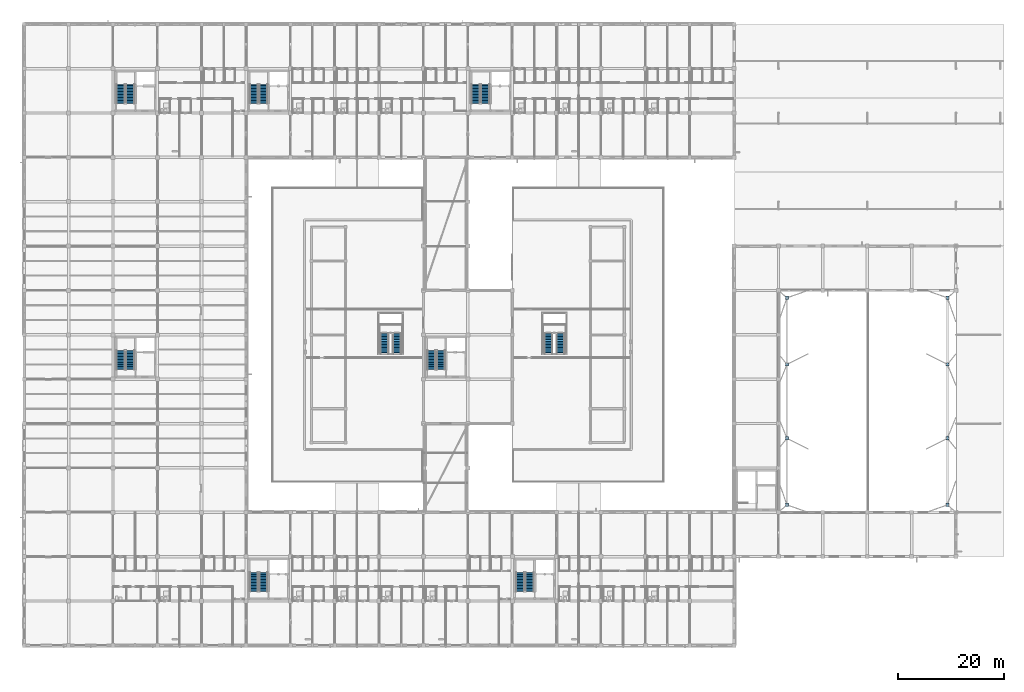
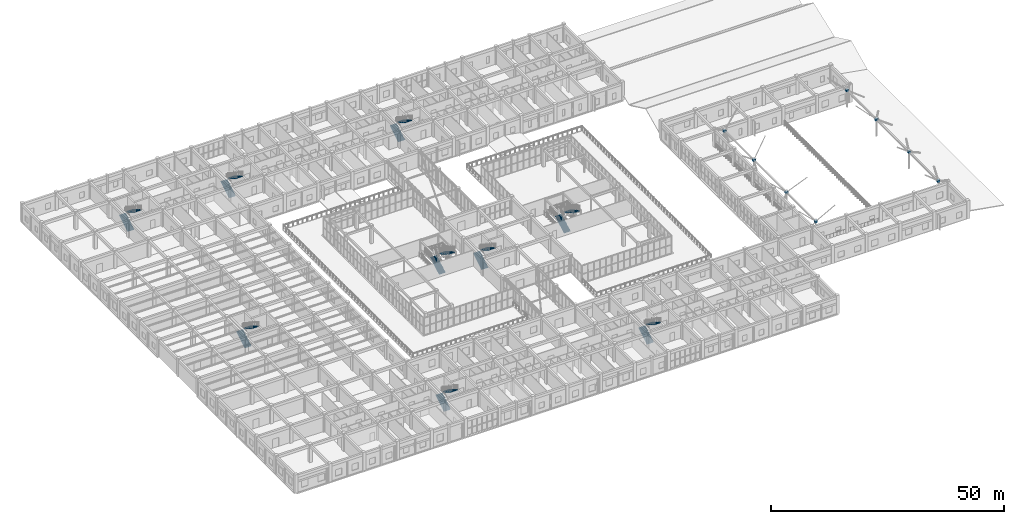
# One storey, part 139 of 158: 18 stair flights, 8 discrete accessories, 9 elements without a shape of their own.
"""IFC4 building model written with IfcOpenShell, lengths in metres."""

from ifc_helpers import new_model, si_unit, direction, frame, origin, origin_2d, place, context, subcontext, project, spatial, polyline, rectangle, outline, extrude, material, type_object, element, aggregate, save


model = new_model("IFC4")

# Units and contexts
model_context = context("Model", 3, precision=1e-05, world=origin(), true_north=direction((0.0, 1.0)))
body_context = subcontext(model_context, "Body", "Model", "MODEL_VIEW")
ifc_project = project(units=[si_unit("LENGTHUNIT", "METRE"), si_unit("AREAUNIT", "SQUARE_METRE"), si_unit("VOLUMEUNIT", "CUBIC_METRE"), si_unit("PLANEANGLEUNIT", "RADIAN"), si_unit("MASSUNIT", "GRAM", prefix="KILO")], contexts=[model_context])

# Site, building, storey
site_placement = place(None, origin())
site = spatial("IfcSite", under=ifc_project, at=site_placement, CompositionType="ELEMENT")
building_placement = place(site_placement, origin())
building = spatial("IfcBuilding", under=site, at=building_placement, Name="Trelvath General Hospital", CompositionType="ELEMENT")
storey_placement = place(building_placement, frame((0.0, 0.0, 8.10009765625)))
storey = spatial("IfcBuildingStorey", under=building, at=storey_placement, Name="L02", CompositionType="ELEMENT", Elevation=8.10009765625)

# Stair, stair flights
ifc_material_1 = material(Name="Concrete C35/45", Category="concrete")
stair_type_1 = type_object("IfcStairType", Name="Stair PublicCube480", PredefinedType="TWO_STRAIGHT_RUN_STAIR", material=ifc_material_1)
stair_1_placement = place(storey_placement, origin())
stair_1 = element("IfcStair", 1, at=stair_1_placement, inside=storey, type_object=stair_type_1, Name="Public Cube Feature Stair ST9 L02", PredefinedType="TWO_STRAIGHT_RUN_STAIR")
ifc_material_2 = material(Name="Concrete C35/45", Category="concrete")
stair_flight_type_1 = type_object("IfcStairFlightType", Name="Flight PublicCube480", PredefinedType="STRAIGHT", material=ifc_material_2)
stair_flight_1_placement = place(storey_placement, frame((68.25, 55.169921875, 0.0), z_axis=(0.0, 0.0, 1.0), x_axis=(0.0, 1.0, 0.0)))
stair_flight_1 = element("IfcStairFlight", 2, at=stair_flight_1_placement, type_object=stair_flight_type_1, Name="ST9-L02 flight 1", NumberOfRisers=14, NumberOfTreads=13, PredefinedType="STRAIGHT", RiserHeight=0.171428571, TreadLength=0.3, context=body_context, shape_type="SweptSolid", body=[
    extrude(outline(polyline([(0.0, 0.0), (0.0, 0.17138671875), (0.300048828125, 0.17138671875), (0.300048828125, 0.3427734375), (0.60009765625, 0.3427734375), (0.60009765625, 0.514404296875), (0.89990234375, 0.514404296875), (0.89990234375, 0.685791015625), (1.199951171875, 0.685791015625), (1.199951171875, 0.857177734375), (1.5, 0.857177734375), (1.5, 1.028564453125), (1.800048828125, 1.028564453125), (1.800048828125, 1.199951171875), (2.10009765625, 1.199951171875), (2.10009765625, 1.371337890625), (2.39990234375, 1.371337890625), (2.39990234375, 1.54296875), (2.699951171875, 1.54296875), (2.699951171875, 1.71435546875), (3.0, 1.71435546875), (3.0, 1.8857421875), (3.300048828125, 1.8857421875), (3.300048828125, 2.05712890625), (3.60009765625, 2.05712890625), (3.60009765625, 2.228515625), (3.89990234375, 2.228515625), (3.89990234375, 2.39990234375), (3.89990234375, 2.04443359375), (0.322265625, 0.0), (0.0, 0.0)])), frame((0.0, 0.77001953125, 0.0), z_axis=(0.0, -1.0, 0.0), x_axis=(1.0, 0.0, 0.0)), (0.0, 0.0, 1.0), 1.5400390625),
])
stair_flight_2_placement = place(storey_placement, frame((70.550048828125, 59.070068359375, 2.39990234375), z_axis=(0.0, 0.0, 1.0), x_axis=(0.0, -1.0, 0.0)))
stair_flight_2 = element("IfcStairFlight", 3, at=stair_flight_2_placement, type_object=stair_flight_type_1, Name="ST9-L02 flight 2", NumberOfRisers=14, NumberOfTreads=13, PredefinedType="STRAIGHT", RiserHeight=0.171428571, TreadLength=0.3, context=body_context, shape_type="SweptSolid", body=[
    extrude(outline(polyline([(0.0, 0.0), (0.0, 0.17138671875), (0.300048828125, 0.17138671875), (0.300048828125, 0.3427734375), (0.60009765625, 0.3427734375), (0.60009765625, 0.514404296875), (0.89990234375, 0.514404296875), (0.89990234375, 0.685791015625), (1.199951171875, 0.685791015625), (1.199951171875, 0.857177734375), (1.5, 0.857177734375), (1.5, 1.028564453125), (1.800048828125, 1.028564453125), (1.800048828125, 1.199951171875), (2.10009765625, 1.199951171875), (2.10009765625, 1.371337890625), (2.39990234375, 1.371337890625), (2.39990234375, 1.54296875), (2.699951171875, 1.54296875), (2.699951171875, 1.71435546875), (3.0, 1.71435546875), (3.0, 1.8857421875), (3.300048828125, 1.8857421875), (3.300048828125, 2.05712890625), (3.60009765625, 2.05712890625), (3.60009765625, 2.228515625), (3.89990234375, 2.228515625), (3.89990234375, 2.39990234375), (3.89990234375, 2.04443359375), (0.322265625, 0.0), (0.0, 0.0)])), frame((0.0, 0.77001953125, 0.0), z_axis=(0.0, -1.0, 0.0), x_axis=(1.0, 0.0, 0.0)), (0.0, 0.0, 1.0), 1.5400390625),
])
aggregate(stair_1, [stair_flight_1, stair_flight_2])

stair_2_placement = place(storey_placement, origin())
stair_2 = element("IfcStair", 4, at=stair_2_placement, inside=storey, type_object=stair_type_1, Name="Public Cube Feature Stair ST10 L02", PredefinedType="TWO_STRAIGHT_RUN_STAIR")
stair_flight_3_placement = place(storey_placement, frame((99.25, 55.169921875, 0.0), z_axis=(0.0, 0.0, 1.0), x_axis=(0.0, 1.0, 0.0)))
stair_flight_3 = element("IfcStairFlight", 5, at=stair_flight_3_placement, type_object=stair_flight_type_1, Name="ST10-L02 flight 1", NumberOfRisers=14, NumberOfTreads=13, PredefinedType="STRAIGHT", RiserHeight=0.171428571, TreadLength=0.3, context=body_context, shape_type="SweptSolid", body=[
    extrude(outline(polyline([(0.0, 0.0), (0.0, 0.17138671875), (0.300048828125, 0.17138671875), (0.300048828125, 0.3427734375), (0.60009765625, 0.3427734375), (0.60009765625, 0.514404296875), (0.89990234375, 0.514404296875), (0.89990234375, 0.685791015625), (1.199951171875, 0.685791015625), (1.199951171875, 0.857177734375), (1.5, 0.857177734375), (1.5, 1.028564453125), (1.800048828125, 1.028564453125), (1.800048828125, 1.199951171875), (2.10009765625, 1.199951171875), (2.10009765625, 1.371337890625), (2.39990234375, 1.371337890625), (2.39990234375, 1.54296875), (2.699951171875, 1.54296875), (2.699951171875, 1.71435546875), (3.0, 1.71435546875), (3.0, 1.8857421875), (3.300048828125, 1.8857421875), (3.300048828125, 2.05712890625), (3.60009765625, 2.05712890625), (3.60009765625, 2.228515625), (3.89990234375, 2.228515625), (3.89990234375, 2.39990234375), (3.89990234375, 2.04443359375), (0.322265625, 0.0), (0.0, 0.0)])), frame((0.0, 0.77001953125, 0.0), z_axis=(0.0, -1.0, 0.0), x_axis=(1.0, 0.0, 0.0)), (0.0, 0.0, 1.0), 1.5400390625),
])
stair_flight_4_placement = place(storey_placement, frame((101.550048828125, 59.070068359375, 2.39990234375), z_axis=(0.0, 0.0, 1.0), x_axis=(0.0, -1.0, 0.0)))
stair_flight_4 = element("IfcStairFlight", 6, at=stair_flight_4_placement, type_object=stair_flight_type_1, Name="ST10-L02 flight 2", NumberOfRisers=14, NumberOfTreads=13, PredefinedType="STRAIGHT", RiserHeight=0.171428571, TreadLength=0.3, context=body_context, shape_type="SweptSolid", body=[
    extrude(outline(polyline([(0.0, 0.0), (0.0, 0.17138671875), (0.300048828125, 0.17138671875), (0.300048828125, 0.3427734375), (0.60009765625, 0.3427734375), (0.60009765625, 0.514404296875), (0.89990234375, 0.514404296875), (0.89990234375, 0.685791015625), (1.199951171875, 0.685791015625), (1.199951171875, 0.857177734375), (1.5, 0.857177734375), (1.5, 1.028564453125), (1.800048828125, 1.028564453125), (1.800048828125, 1.199951171875), (2.10009765625, 1.199951171875), (2.10009765625, 1.371337890625), (2.39990234375, 1.371337890625), (2.39990234375, 1.54296875), (2.699951171875, 1.54296875), (2.699951171875, 1.71435546875), (3.0, 1.71435546875), (3.0, 1.8857421875), (3.300048828125, 1.8857421875), (3.300048828125, 2.05712890625), (3.60009765625, 2.05712890625), (3.60009765625, 2.228515625), (3.89990234375, 2.228515625), (3.89990234375, 2.39990234375), (3.89990234375, 2.04443359375), (0.322265625, 0.0), (0.0, 0.0)])), frame((0.0, 0.77001953125, 0.0), z_axis=(0.0, -1.0, 0.0), x_axis=(1.0, 0.0, 0.0)), (0.0, 0.0, 1.0), 1.5400390625),
])
aggregate(stair_2, [stair_flight_3, stair_flight_4])

ifc_material_3 = material(Name="Concrete C35/45", Category="concrete")
stair_type_2 = type_object("IfcStairType", Name="Stair Stretcher480", PredefinedType="TWO_STRAIGHT_RUN_STAIR", material=ifc_material_3)
stair_3_placement = place(storey_placement, origin())
stair_3 = element("IfcStair", 7, at=stair_3_placement, inside=storey, type_object=stair_type_2, Name="Exit Stair ST1 L02", PredefinedType="TWO_STRAIGHT_RUN_STAIR")
ifc_material_4 = material(Name="Concrete C35/45", Category="concrete")
stair_flight_type_2 = type_object("IfcStairFlightType", Name="Flight Stretcher480", PredefinedType="STRAIGHT", material=ifc_material_4)
stair_flight_5_placement = place(storey_placement, frame((43.5, 102.60009765625, 0.0), z_axis=(0.0, 0.0, 1.0), x_axis=(0.0, 1.0, 0.0)))
stair_flight_5 = element("IfcStairFlight", 8, at=stair_flight_5_placement, type_object=stair_flight_type_2, Name="ST1-L02 flight 1", NumberOfRisers=14, NumberOfTreads=13, PredefinedType="STRAIGHT", RiserHeight=0.171428571, TreadLength=0.28, context=body_context, shape_type="SweptSolid", body=[
    extrude(outline(polyline([(0.0, 0.0), (0.0, 0.17138671875), (0.280029296875, 0.17138671875), (0.280029296875, 0.3427734375), (0.56005859375, 0.3427734375), (0.56005859375, 0.514404296875), (0.840087890625, 0.514404296875), (0.840087890625, 0.685791015625), (1.1201171875, 0.685791015625), (1.1201171875, 0.857177734375), (1.39990234375, 0.857177734375), (1.39990234375, 1.028564453125), (1.679931640625, 1.028564453125), (1.679931640625, 1.199951171875), (1.9599609375, 1.199951171875), (1.9599609375, 1.371337890625), (2.239990234375, 1.371337890625), (2.239990234375, 1.54296875), (2.52001953125, 1.54296875), (2.52001953125, 1.71435546875), (2.800048828125, 1.71435546875), (2.800048828125, 1.8857421875), (3.080078125, 1.8857421875), (3.080078125, 2.05712890625), (3.360107421875, 2.05712890625), (3.360107421875, 2.228515625), (3.639892578125, 2.228515625), (3.639892578125, 2.39990234375), (3.639892578125, 2.041015625), (0.30615234375, 0.0), (0.0, 0.0)])), frame((0.0, 0.81005859375, 0.0), z_axis=(0.0, -1.0, 0.0), x_axis=(1.0, 0.0, 0.0)), (0.0, 0.0, 1.0), 1.6201171875),
])
stair_flight_6_placement = place(storey_placement, frame((45.300048828125, 106.239990234375, 2.39990234375), z_axis=(0.0, 0.0, 1.0), x_axis=(0.0, -1.0, 0.0)))
stair_flight_6 = element("IfcStairFlight", 9, at=stair_flight_6_placement, type_object=stair_flight_type_2, Name="ST1-L02 flight 2", NumberOfRisers=14, NumberOfTreads=13, PredefinedType="STRAIGHT", RiserHeight=0.171428571, TreadLength=0.28, context=body_context, shape_type="SweptSolid", body=[
    extrude(outline(polyline([(0.0, 0.0), (0.0, 0.17138671875), (0.280029296875, 0.17138671875), (0.280029296875, 0.3427734375), (0.56005859375, 0.3427734375), (0.56005859375, 0.514404296875), (0.840087890625, 0.514404296875), (0.840087890625, 0.685791015625), (1.1201171875, 0.685791015625), (1.1201171875, 0.857177734375), (1.39990234375, 0.857177734375), (1.39990234375, 1.028564453125), (1.679931640625, 1.028564453125), (1.679931640625, 1.199951171875), (1.9599609375, 1.199951171875), (1.9599609375, 1.371337890625), (2.239990234375, 1.371337890625), (2.239990234375, 1.54296875), (2.52001953125, 1.54296875), (2.52001953125, 1.71435546875), (2.800048828125, 1.71435546875), (2.800048828125, 1.8857421875), (3.080078125, 1.8857421875), (3.080078125, 2.05712890625), (3.360107421875, 2.05712890625), (3.360107421875, 2.228515625), (3.639892578125, 2.228515625), (3.639892578125, 2.39990234375), (3.639892578125, 2.041015625), (0.30615234375, 0.0), (0.0, 0.0)])), frame((0.0, 0.81005859375, 0.0), z_axis=(0.0, -1.0, 0.0), x_axis=(1.0, 0.0, 0.0)), (0.0, 0.0, 1.0), 1.6201171875),
])
aggregate(stair_3, [stair_flight_5, stair_flight_6])

stair_4_placement = place(storey_placement, origin())
stair_4 = element("IfcStair", 10, at=stair_4_placement, inside=storey, type_object=stair_type_2, Name="Exit Stair ST2 L02", PredefinedType="TWO_STRAIGHT_RUN_STAIR")
stair_flight_7_placement = place(storey_placement, frame((85.5, 102.60009765625, 0.0), z_axis=(0.0, 0.0, 1.0), x_axis=(0.0, 1.0, 0.0)))
stair_flight_7 = element("IfcStairFlight", 11, at=stair_flight_7_placement, type_object=stair_flight_type_2, Name="ST2-L02 flight 1", NumberOfRisers=14, NumberOfTreads=13, PredefinedType="STRAIGHT", RiserHeight=0.171428571, TreadLength=0.28, context=body_context, shape_type="SweptSolid", body=[
    extrude(outline(polyline([(0.0, 0.0), (0.0, 0.17138671875), (0.280029296875, 0.17138671875), (0.280029296875, 0.3427734375), (0.56005859375, 0.3427734375), (0.56005859375, 0.514404296875), (0.840087890625, 0.514404296875), (0.840087890625, 0.685791015625), (1.1201171875, 0.685791015625), (1.1201171875, 0.857177734375), (1.39990234375, 0.857177734375), (1.39990234375, 1.028564453125), (1.679931640625, 1.028564453125), (1.679931640625, 1.199951171875), (1.9599609375, 1.199951171875), (1.9599609375, 1.371337890625), (2.239990234375, 1.371337890625), (2.239990234375, 1.54296875), (2.52001953125, 1.54296875), (2.52001953125, 1.71435546875), (2.800048828125, 1.71435546875), (2.800048828125, 1.8857421875), (3.080078125, 1.8857421875), (3.080078125, 2.05712890625), (3.360107421875, 2.05712890625), (3.360107421875, 2.228515625), (3.639892578125, 2.228515625), (3.639892578125, 2.39990234375), (3.639892578125, 2.041015625), (0.30615234375, 0.0), (0.0, 0.0)])), frame((0.0, 0.81005859375, 0.0), z_axis=(0.0, -1.0, 0.0), x_axis=(1.0, 0.0, 0.0)), (0.0, 0.0, 1.0), 1.6201171875),
])
stair_flight_8_placement = place(storey_placement, frame((87.300048828125, 106.239990234375, 2.39990234375), z_axis=(0.0, 0.0, 1.0), x_axis=(0.0, -1.0, 0.0)))
stair_flight_8 = element("IfcStairFlight", 12, at=stair_flight_8_placement, type_object=stair_flight_type_2, Name="ST2-L02 flight 2", NumberOfRisers=14, NumberOfTreads=13, PredefinedType="STRAIGHT", RiserHeight=0.171428571, TreadLength=0.28, context=body_context, shape_type="SweptSolid", body=[
    extrude(outline(polyline([(0.0, 0.0), (0.0, 0.17138671875), (0.280029296875, 0.17138671875), (0.280029296875, 0.3427734375), (0.56005859375, 0.3427734375), (0.56005859375, 0.514404296875), (0.840087890625, 0.514404296875), (0.840087890625, 0.685791015625), (1.1201171875, 0.685791015625), (1.1201171875, 0.857177734375), (1.39990234375, 0.857177734375), (1.39990234375, 1.028564453125), (1.679931640625, 1.028564453125), (1.679931640625, 1.199951171875), (1.9599609375, 1.199951171875), (1.9599609375, 1.371337890625), (2.239990234375, 1.371337890625), (2.239990234375, 1.54296875), (2.52001953125, 1.54296875), (2.52001953125, 1.71435546875), (2.800048828125, 1.71435546875), (2.800048828125, 1.8857421875), (3.080078125, 1.8857421875), (3.080078125, 2.05712890625), (3.360107421875, 2.05712890625), (3.360107421875, 2.228515625), (3.639892578125, 2.228515625), (3.639892578125, 2.39990234375), (3.639892578125, 2.041015625), (0.30615234375, 0.0), (0.0, 0.0)])), frame((0.0, 0.81005859375, 0.0), z_axis=(0.0, -1.0, 0.0), x_axis=(1.0, 0.0, 0.0)), (0.0, 0.0, 1.0), 1.6201171875),
])
aggregate(stair_4, [stair_flight_7, stair_flight_8])

stair_5_placement = place(storey_placement, origin())
stair_5 = element("IfcStair", 13, at=stair_5_placement, inside=storey, type_object=stair_type_2, Name="Exit Stair ST3 L02", PredefinedType="TWO_STRAIGHT_RUN_STAIR")
stair_flight_9_placement = place(storey_placement, frame((18.300048828125, 102.60009765625, 0.0), z_axis=(0.0, 0.0, 1.0), x_axis=(0.0, 1.0, 0.0)))
stair_flight_9 = element("IfcStairFlight", 14, at=stair_flight_9_placement, type_object=stair_flight_type_2, Name="ST3-L02 flight 1", NumberOfRisers=14, NumberOfTreads=13, PredefinedType="STRAIGHT", RiserHeight=0.171428571, TreadLength=0.28, context=body_context, shape_type="SweptSolid", body=[
    extrude(outline(polyline([(0.0, 0.0), (0.0, 0.17138671875), (0.280029296875, 0.17138671875), (0.280029296875, 0.3427734375), (0.56005859375, 0.3427734375), (0.56005859375, 0.514404296875), (0.840087890625, 0.514404296875), (0.840087890625, 0.685791015625), (1.1201171875, 0.685791015625), (1.1201171875, 0.857177734375), (1.39990234375, 0.857177734375), (1.39990234375, 1.028564453125), (1.679931640625, 1.028564453125), (1.679931640625, 1.199951171875), (1.9599609375, 1.199951171875), (1.9599609375, 1.371337890625), (2.239990234375, 1.371337890625), (2.239990234375, 1.54296875), (2.52001953125, 1.54296875), (2.52001953125, 1.71435546875), (2.800048828125, 1.71435546875), (2.800048828125, 1.8857421875), (3.080078125, 1.8857421875), (3.080078125, 2.05712890625), (3.360107421875, 2.05712890625), (3.360107421875, 2.228515625), (3.639892578125, 2.228515625), (3.639892578125, 2.39990234375), (3.639892578125, 2.041015625), (0.30615234375, 0.0), (0.0, 0.0)])), frame((0.0, 0.81005859375, 0.0), z_axis=(0.0, -1.0, 0.0), x_axis=(1.0, 0.0, 0.0)), (0.0, 0.0, 1.0), 1.6201171875),
])
stair_flight_10_placement = place(storey_placement, frame((20.10009765625, 106.239990234375, 2.39990234375), z_axis=(0.0, 0.0, 1.0), x_axis=(0.0, -1.0, 0.0)))
stair_flight_10 = element("IfcStairFlight", 15, at=stair_flight_10_placement, type_object=stair_flight_type_2, Name="ST3-L02 flight 2", NumberOfRisers=14, NumberOfTreads=13, PredefinedType="STRAIGHT", RiserHeight=0.171428571, TreadLength=0.28, context=body_context, shape_type="SweptSolid", body=[
    extrude(outline(polyline([(0.0, 0.0), (0.0, 0.17138671875), (0.280029296875, 0.17138671875), (0.280029296875, 0.3427734375), (0.56005859375, 0.3427734375), (0.56005859375, 0.514404296875), (0.840087890625, 0.514404296875), (0.840087890625, 0.685791015625), (1.1201171875, 0.685791015625), (1.1201171875, 0.857177734375), (1.39990234375, 0.857177734375), (1.39990234375, 1.028564453125), (1.679931640625, 1.028564453125), (1.679931640625, 1.199951171875), (1.9599609375, 1.199951171875), (1.9599609375, 1.371337890625), (2.239990234375, 1.371337890625), (2.239990234375, 1.54296875), (2.52001953125, 1.54296875), (2.52001953125, 1.71435546875), (2.800048828125, 1.71435546875), (2.800048828125, 1.8857421875), (3.080078125, 1.8857421875), (3.080078125, 2.05712890625), (3.360107421875, 2.05712890625), (3.360107421875, 2.228515625), (3.639892578125, 2.228515625), (3.639892578125, 2.39990234375), (3.639892578125, 2.041015625), (0.30615234375, 0.0), (0.0, 0.0)])), frame((0.0, 0.81005859375, 0.0), z_axis=(0.0, -1.0, 0.0), x_axis=(1.0, 0.0, 0.0)), (0.0, 0.0, 1.0), 1.6201171875),
])
aggregate(stair_5, [stair_flight_9, stair_flight_10])

stair_6_placement = place(storey_placement, origin())
stair_6 = element("IfcStair", 16, at=stair_6_placement, inside=storey, type_object=stair_type_2, Name="Exit Stair ST4 L02", PredefinedType="TWO_STRAIGHT_RUN_STAIR")
stair_flight_11_placement = place(storey_placement, frame((43.5, 10.199951171875, 0.0), z_axis=(0.0, 0.0, 1.0), x_axis=(0.0, 1.0, 0.0)))
stair_flight_11 = element("IfcStairFlight", 17, at=stair_flight_11_placement, type_object=stair_flight_type_2, Name="ST4-L02 flight 1", NumberOfRisers=14, NumberOfTreads=13, PredefinedType="STRAIGHT", RiserHeight=0.171428571, TreadLength=0.28, context=body_context, shape_type="SweptSolid", body=[
    extrude(outline(polyline([(0.0, 0.0), (0.0, 0.17138671875), (0.280029296875, 0.17138671875), (0.280029296875, 0.3427734375), (0.56005859375, 0.3427734375), (0.56005859375, 0.514404296875), (0.840087890625, 0.514404296875), (0.840087890625, 0.685791015625), (1.1201171875, 0.685791015625), (1.1201171875, 0.857177734375), (1.39990234375, 0.857177734375), (1.39990234375, 1.028564453125), (1.679931640625, 1.028564453125), (1.679931640625, 1.199951171875), (1.9599609375, 1.199951171875), (1.9599609375, 1.371337890625), (2.239990234375, 1.371337890625), (2.239990234375, 1.54296875), (2.52001953125, 1.54296875), (2.52001953125, 1.71435546875), (2.800048828125, 1.71435546875), (2.800048828125, 1.8857421875), (3.080078125, 1.8857421875), (3.080078125, 2.05712890625), (3.360107421875, 2.05712890625), (3.360107421875, 2.228515625), (3.639892578125, 2.228515625), (3.639892578125, 2.39990234375), (3.639892578125, 2.041015625), (0.30615234375, 0.0), (0.0, 0.0)])), frame((0.0, 0.81005859375, 0.0), z_axis=(0.0, -1.0, 0.0), x_axis=(1.0, 0.0, 0.0)), (0.0, 0.0, 1.0), 1.6201171875),
])
stair_flight_12_placement = place(storey_placement, frame((45.300048828125, 13.840087890625, 2.39990234375), z_axis=(0.0, 0.0, 1.0), x_axis=(0.0, -1.0, 0.0)))
stair_flight_12 = element("IfcStairFlight", 18, at=stair_flight_12_placement, type_object=stair_flight_type_2, Name="ST4-L02 flight 2", NumberOfRisers=14, NumberOfTreads=13, PredefinedType="STRAIGHT", RiserHeight=0.171428571, TreadLength=0.28, context=body_context, shape_type="SweptSolid", body=[
    extrude(outline(polyline([(0.0, 0.0), (0.0, 0.17138671875), (0.280029296875, 0.17138671875), (0.280029296875, 0.3427734375), (0.56005859375, 0.3427734375), (0.56005859375, 0.514404296875), (0.840087890625, 0.514404296875), (0.840087890625, 0.685791015625), (1.1201171875, 0.685791015625), (1.1201171875, 0.857177734375), (1.39990234375, 0.857177734375), (1.39990234375, 1.028564453125), (1.679931640625, 1.028564453125), (1.679931640625, 1.199951171875), (1.9599609375, 1.199951171875), (1.9599609375, 1.371337890625), (2.239990234375, 1.371337890625), (2.239990234375, 1.54296875), (2.52001953125, 1.54296875), (2.52001953125, 1.71435546875), (2.800048828125, 1.71435546875), (2.800048828125, 1.8857421875), (3.080078125, 1.8857421875), (3.080078125, 2.05712890625), (3.360107421875, 2.05712890625), (3.360107421875, 2.228515625), (3.639892578125, 2.228515625), (3.639892578125, 2.39990234375), (3.639892578125, 2.041015625), (0.30615234375, 0.0), (0.0, 0.0)])), frame((0.0, 0.81005859375, 0.0), z_axis=(0.0, -1.0, 0.0), x_axis=(1.0, 0.0, 0.0)), (0.0, 0.0, 1.0), 1.6201171875),
])
aggregate(stair_6, [stair_flight_11, stair_flight_12])

stair_7_placement = place(storey_placement, origin())
stair_7 = element("IfcStair", 19, at=stair_7_placement, inside=storey, type_object=stair_type_2, Name="Exit Stair ST5 L02", PredefinedType="TWO_STRAIGHT_RUN_STAIR")
stair_flight_13_placement = place(storey_placement, frame((93.89990234375, 10.199951171875, 0.0), z_axis=(0.0, 0.0, 1.0), x_axis=(0.0, 1.0, 0.0)))
stair_flight_13 = element("IfcStairFlight", 20, at=stair_flight_13_placement, type_object=stair_flight_type_2, Name="ST5-L02 flight 1", NumberOfRisers=14, NumberOfTreads=13, PredefinedType="STRAIGHT", RiserHeight=0.171428571, TreadLength=0.28, context=body_context, shape_type="SweptSolid", body=[
    extrude(outline(polyline([(0.0, 0.0), (0.0, 0.17138671875), (0.280029296875, 0.17138671875), (0.280029296875, 0.3427734375), (0.56005859375, 0.3427734375), (0.56005859375, 0.514404296875), (0.840087890625, 0.514404296875), (0.840087890625, 0.685791015625), (1.1201171875, 0.685791015625), (1.1201171875, 0.857177734375), (1.39990234375, 0.857177734375), (1.39990234375, 1.028564453125), (1.679931640625, 1.028564453125), (1.679931640625, 1.199951171875), (1.9599609375, 1.199951171875), (1.9599609375, 1.371337890625), (2.239990234375, 1.371337890625), (2.239990234375, 1.54296875), (2.52001953125, 1.54296875), (2.52001953125, 1.71435546875), (2.800048828125, 1.71435546875), (2.800048828125, 1.8857421875), (3.080078125, 1.8857421875), (3.080078125, 2.05712890625), (3.360107421875, 2.05712890625), (3.360107421875, 2.228515625), (3.639892578125, 2.228515625), (3.639892578125, 2.39990234375), (3.639892578125, 2.041015625), (0.30615234375, 0.0), (0.0, 0.0)])), frame((0.0, 0.81005859375, 0.0), z_axis=(0.0, -1.0, 0.0), x_axis=(1.0, 0.0, 0.0)), (0.0, 0.0, 1.0), 1.6201171875),
])
stair_flight_14_placement = place(storey_placement, frame((95.699951171875, 13.840087890625, 2.39990234375), z_axis=(0.0, 0.0, 1.0), x_axis=(0.0, -1.0, 0.0)))
stair_flight_14 = element("IfcStairFlight", 21, at=stair_flight_14_placement, type_object=stair_flight_type_2, Name="ST5-L02 flight 2", NumberOfRisers=14, NumberOfTreads=13, PredefinedType="STRAIGHT", RiserHeight=0.171428571, TreadLength=0.28, context=body_context, shape_type="SweptSolid", body=[
    extrude(outline(polyline([(0.0, 0.0), (0.0, 0.17138671875), (0.280029296875, 0.17138671875), (0.280029296875, 0.3427734375), (0.56005859375, 0.3427734375), (0.56005859375, 0.514404296875), (0.840087890625, 0.514404296875), (0.840087890625, 0.685791015625), (1.1201171875, 0.685791015625), (1.1201171875, 0.857177734375), (1.39990234375, 0.857177734375), (1.39990234375, 1.028564453125), (1.679931640625, 1.028564453125), (1.679931640625, 1.199951171875), (1.9599609375, 1.199951171875), (1.9599609375, 1.371337890625), (2.239990234375, 1.371337890625), (2.239990234375, 1.54296875), (2.52001953125, 1.54296875), (2.52001953125, 1.71435546875), (2.800048828125, 1.71435546875), (2.800048828125, 1.8857421875), (3.080078125, 1.8857421875), (3.080078125, 2.05712890625), (3.360107421875, 2.05712890625), (3.360107421875, 2.228515625), (3.639892578125, 2.228515625), (3.639892578125, 2.39990234375), (3.639892578125, 2.041015625), (0.30615234375, 0.0), (0.0, 0.0)])), frame((0.0, 0.81005859375, 0.0), z_axis=(0.0, -1.0, 0.0), x_axis=(1.0, 0.0, 0.0)), (0.0, 0.0, 1.0), 1.6201171875),
])
aggregate(stair_7, [stair_flight_13, stair_flight_14])

stair_8_placement = place(storey_placement, origin())
stair_8 = element("IfcStair", 22, at=stair_8_placement, inside=storey, type_object=stair_type_2, Name="Exit Stair ST6 L02", PredefinedType="TWO_STRAIGHT_RUN_STAIR")
stair_flight_15_placement = place(storey_placement, frame((77.10009765625, 52.199951171875, 0.0), z_axis=(0.0, 0.0, 1.0), x_axis=(0.0, 1.0, 0.0)))
stair_flight_15 = element("IfcStairFlight", 23, at=stair_flight_15_placement, type_object=stair_flight_type_2, Name="ST6-L02 flight 1", NumberOfRisers=14, NumberOfTreads=13, PredefinedType="STRAIGHT", RiserHeight=0.171428571, TreadLength=0.28, context=body_context, shape_type="SweptSolid", body=[
    extrude(outline(polyline([(0.0, 0.0), (0.0, 0.17138671875), (0.280029296875, 0.17138671875), (0.280029296875, 0.3427734375), (0.56005859375, 0.3427734375), (0.56005859375, 0.514404296875), (0.840087890625, 0.514404296875), (0.840087890625, 0.685791015625), (1.1201171875, 0.685791015625), (1.1201171875, 0.857177734375), (1.39990234375, 0.857177734375), (1.39990234375, 1.028564453125), (1.679931640625, 1.028564453125), (1.679931640625, 1.199951171875), (1.9599609375, 1.199951171875), (1.9599609375, 1.371337890625), (2.239990234375, 1.371337890625), (2.239990234375, 1.54296875), (2.52001953125, 1.54296875), (2.52001953125, 1.71435546875), (2.800048828125, 1.71435546875), (2.800048828125, 1.8857421875), (3.080078125, 1.8857421875), (3.080078125, 2.05712890625), (3.360107421875, 2.05712890625), (3.360107421875, 2.228515625), (3.639892578125, 2.228515625), (3.639892578125, 2.39990234375), (3.639892578125, 2.041015625), (0.30615234375, 0.0), (0.0, 0.0)])), frame((0.0, 0.81005859375, 0.0), z_axis=(0.0, -1.0, 0.0), x_axis=(1.0, 0.0, 0.0)), (0.0, 0.0, 1.0), 1.6201171875),
])
stair_flight_16_placement = place(storey_placement, frame((78.89990234375, 55.840087890625, 2.39990234375), z_axis=(0.0, 0.0, 1.0), x_axis=(0.0, -1.0, 0.0)))
stair_flight_16 = element("IfcStairFlight", 24, at=stair_flight_16_placement, type_object=stair_flight_type_2, Name="ST6-L02 flight 2", NumberOfRisers=14, NumberOfTreads=13, PredefinedType="STRAIGHT", RiserHeight=0.171428571, TreadLength=0.28, context=body_context, shape_type="SweptSolid", body=[
    extrude(outline(polyline([(0.0, 0.0), (0.0, 0.17138671875), (0.280029296875, 0.17138671875), (0.280029296875, 0.3427734375), (0.56005859375, 0.3427734375), (0.56005859375, 0.514404296875), (0.840087890625, 0.514404296875), (0.840087890625, 0.685791015625), (1.1201171875, 0.685791015625), (1.1201171875, 0.857177734375), (1.39990234375, 0.857177734375), (1.39990234375, 1.028564453125), (1.679931640625, 1.028564453125), (1.679931640625, 1.199951171875), (1.9599609375, 1.199951171875), (1.9599609375, 1.371337890625), (2.239990234375, 1.371337890625), (2.239990234375, 1.54296875), (2.52001953125, 1.54296875), (2.52001953125, 1.71435546875), (2.800048828125, 1.71435546875), (2.800048828125, 1.8857421875), (3.080078125, 1.8857421875), (3.080078125, 2.05712890625), (3.360107421875, 2.05712890625), (3.360107421875, 2.228515625), (3.639892578125, 2.228515625), (3.639892578125, 2.39990234375), (3.639892578125, 2.041015625), (0.30615234375, 0.0), (0.0, 0.0)])), frame((0.0, 0.81005859375, 0.0), z_axis=(0.0, -1.0, 0.0), x_axis=(1.0, 0.0, 0.0)), (0.0, 0.0, 1.0), 1.6201171875),
])
aggregate(stair_8, [stair_flight_15, stair_flight_16])

stair_9_placement = place(storey_placement, origin())
stair_9 = element("IfcStair", 25, at=stair_9_placement, inside=storey, type_object=stair_type_2, Name="Exit Stair ST8 L02", PredefinedType="TWO_STRAIGHT_RUN_STAIR")
stair_flight_17_placement = place(storey_placement, frame((18.300048828125, 52.199951171875, 0.0), z_axis=(0.0, 0.0, 1.0), x_axis=(0.0, 1.0, 0.0)))
stair_flight_17 = element("IfcStairFlight", 26, at=stair_flight_17_placement, type_object=stair_flight_type_2, Name="ST8-L02 flight 1", NumberOfRisers=14, NumberOfTreads=13, PredefinedType="STRAIGHT", RiserHeight=0.171428571, TreadLength=0.28, context=body_context, shape_type="SweptSolid", body=[
    extrude(outline(polyline([(0.0, 0.0), (0.0, 0.17138671875), (0.280029296875, 0.17138671875), (0.280029296875, 0.3427734375), (0.56005859375, 0.3427734375), (0.56005859375, 0.514404296875), (0.840087890625, 0.514404296875), (0.840087890625, 0.685791015625), (1.1201171875, 0.685791015625), (1.1201171875, 0.857177734375), (1.39990234375, 0.857177734375), (1.39990234375, 1.028564453125), (1.679931640625, 1.028564453125), (1.679931640625, 1.199951171875), (1.9599609375, 1.199951171875), (1.9599609375, 1.371337890625), (2.239990234375, 1.371337890625), (2.239990234375, 1.54296875), (2.52001953125, 1.54296875), (2.52001953125, 1.71435546875), (2.800048828125, 1.71435546875), (2.800048828125, 1.8857421875), (3.080078125, 1.8857421875), (3.080078125, 2.05712890625), (3.360107421875, 2.05712890625), (3.360107421875, 2.228515625), (3.639892578125, 2.228515625), (3.639892578125, 2.39990234375), (3.639892578125, 2.041015625), (0.30615234375, 0.0), (0.0, 0.0)])), frame((0.0, 0.81005859375, 0.0), z_axis=(0.0, -1.0, 0.0), x_axis=(1.0, 0.0, 0.0)), (0.0, 0.0, 1.0), 1.6201171875),
])
stair_flight_18_placement = place(storey_placement, frame((20.10009765625, 55.840087890625, 2.39990234375), z_axis=(0.0, 0.0, 1.0), x_axis=(0.0, -1.0, 0.0)))
stair_flight_18 = element("IfcStairFlight", 27, at=stair_flight_18_placement, type_object=stair_flight_type_2, Name="ST8-L02 flight 2", NumberOfRisers=14, NumberOfTreads=13, PredefinedType="STRAIGHT", RiserHeight=0.171428571, TreadLength=0.28, context=body_context, shape_type="SweptSolid", body=[
    extrude(outline(polyline([(0.0, 0.0), (0.0, 0.17138671875), (0.280029296875, 0.17138671875), (0.280029296875, 0.3427734375), (0.56005859375, 0.3427734375), (0.56005859375, 0.514404296875), (0.840087890625, 0.514404296875), (0.840087890625, 0.685791015625), (1.1201171875, 0.685791015625), (1.1201171875, 0.857177734375), (1.39990234375, 0.857177734375), (1.39990234375, 1.028564453125), (1.679931640625, 1.028564453125), (1.679931640625, 1.199951171875), (1.9599609375, 1.199951171875), (1.9599609375, 1.371337890625), (2.239990234375, 1.371337890625), (2.239990234375, 1.54296875), (2.52001953125, 1.54296875), (2.52001953125, 1.71435546875), (2.800048828125, 1.71435546875), (2.800048828125, 1.8857421875), (3.080078125, 1.8857421875), (3.080078125, 2.05712890625), (3.360107421875, 2.05712890625), (3.360107421875, 2.228515625), (3.639892578125, 2.228515625), (3.639892578125, 2.39990234375), (3.639892578125, 2.041015625), (0.30615234375, 0.0), (0.0, 0.0)])), frame((0.0, 0.81005859375, 0.0), z_axis=(0.0, -1.0, 0.0), x_axis=(1.0, 0.0, 0.0)), (0.0, 0.0, 1.0), 1.6201171875),
])
aggregate(stair_9, [stair_flight_17, stair_flight_18])

# Discrete accessories
ifc_material_5 = material(Name="Steel S355", Category="steel")
discrete_accessory_type = type_object("IfcDiscreteAccessoryType", Name="SpaceFrameNodeHub S355", PredefinedType="BRACKET", material=ifc_material_5)
for number, where, z_axis, x_axis, name in (
    (28, (144.39990234375, 26.60009765625, 4.14990234375), (0.0, 0.0, 1.0), (1.0, 0.0, 0.0), "Tree Column Collar Hub 1"),
    (29, (144.39990234375, 39.199951171875, 4.14990234375), (0.0, 0.0, 1.0), (1.0, 0.0, 0.0), "Tree Column Collar Hub 2"),
    (30, (144.39990234375, 53.199951171875, 4.14990234375), (0.0, 0.0, 1.0), (1.0, 0.0, 0.0), "Tree Column Collar Hub 3"),
    (31, (144.39990234375, 65.800048828125, 4.14990234375), (0.0, 0.0, 1.0), (1.0, 0.0, 0.0), "Tree Column Collar Hub 4"),
    (32, (174.800048828125, 26.60009765625, 4.14990234375), (0.0, 0.0, 1.0), (1.0, 0.0, 0.0), "Tree Column Collar Hub 5"),
    (33, (174.800048828125, 39.199951171875, 4.14990234375), (0.0, 0.0, 1.0), (1.0, 0.0, 0.0), "Tree Column Collar Hub 6"),
    (34, (174.800048828125, 53.199951171875, 4.14990234375), (0.0, 0.0, 1.0), (1.0, 0.0, 0.0), "Tree Column Collar Hub 7"),
    (35, (174.800048828125, 65.800048828125, 4.14990234375), (0.0, 0.0, 1.0), (1.0, 0.0, 0.0), "Tree Column Collar Hub 8"),
):
    element("IfcDiscreteAccessory", number, at=place(storey_placement, frame(where, z_axis=z_axis, x_axis=x_axis)), inside=storey, type_object=discrete_accessory_type, Name=name, PredefinedType="BRACKET", context=body_context, shape_type="SweptSolid", body=[
        extrude(rectangle(XDim=0.6201171875, YDim=0.6201171875, at=origin_2d()), origin(), (0.0, 0.0, 1.0), 0.5),
    ])

save(model, "model.ifc")
